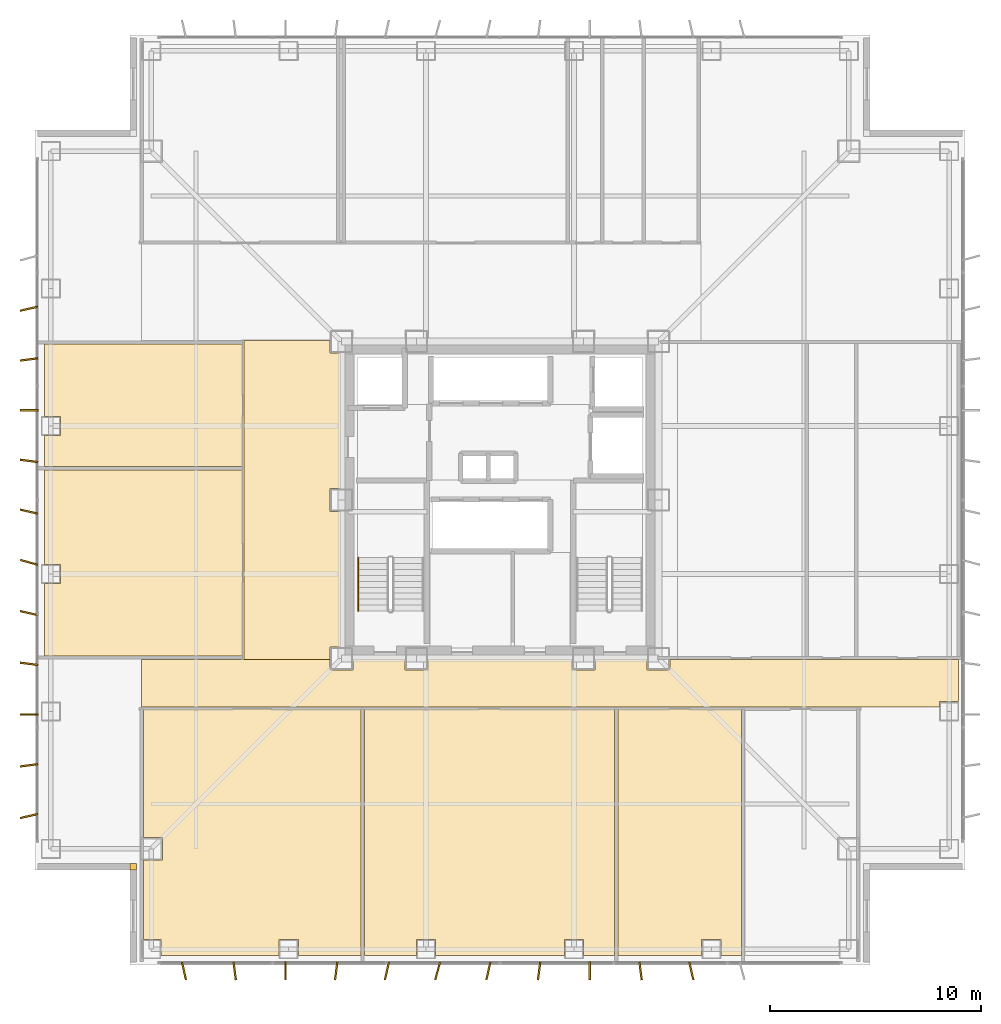
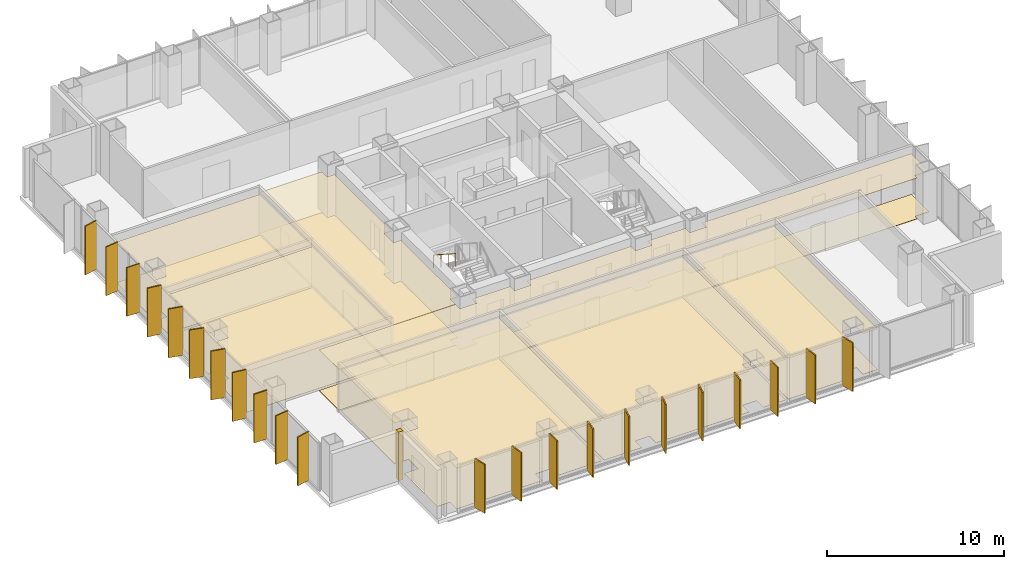
# One storey, part 15 of 17: 22 shading devices, 15 coverings, 1 railing.
"""IFC4 building model written with IfcOpenShell, lengths in metres."""

from ifc_helpers import new_model, si_unit, direction, frame, origin, origin_2d, place, context, subcontext, project, spatial, polyline, rectangle, circle, outline, extrude, material, layer, layer_set, type_object, element, save


model = new_model("IFC4")

# Units and contexts
model_context = context("Model", 3, precision=1e-05, world=origin(), true_north=direction((0.0, 1.0)))
body_context = subcontext(model_context, "Body", "Model", "MODEL_VIEW")
ifc_project = project(units=[si_unit("LENGTHUNIT", "METRE"), si_unit("AREAUNIT", "SQUARE_METRE"), si_unit("VOLUMEUNIT", "CUBIC_METRE"), si_unit("PLANEANGLEUNIT", "RADIAN"), si_unit("MASSUNIT", "GRAM", prefix="KILO")], contexts=[model_context])

# Site, building, storey
site_placement = place(None, origin())
site = spatial("IfcSite", under=ifc_project, at=site_placement, CompositionType="ELEMENT")
building_placement = place(site_placement, origin())
building = spatial("IfcBuilding", under=site, at=building_placement, Name="Trevonay Congress Spire", CompositionType="ELEMENT")
storey_placement = place(building_placement, frame((0.0, 0.0, 126.39990234375)))
storey = spatial("IfcBuildingStorey", under=building, at=storey_placement, Name="L32", CompositionType="ELEMENT", Elevation=126.39990234375)

# Coverings
ifc_material_1 = material(Name="Acoustic Mineral Fibre Board", Category="gypsum")
ifc_layer_1 = layer(ifc_material_1, 0.02490234375, Name="Acoustic Mineral Fibre Board")
ifc_layer_set_1 = layer_set([ifc_layer_1], Name="Acoustic Mineral Fibre Board")
covering_type_1 = type_object("IfcCoveringType", Name="COV-CEIL-ACOUSTIC", PredefinedType="CEILING", material=ifc_layer_set_1)
covering_1_placement = place(storey_placement, frame((0.0, 0.0, 2.81005859375)))
element("IfcCovering", 1, at=covering_1_placement, inside=storey, type_object=covering_type_1, Name="L32 Congress South Spine Corridor acoustic suspended ceiling", PredefinedType="CEILING", context=body_context, shape_type="SweptSolid", body=[
    extrude(outline(polyline([(-16.949951171875, -9.800048828125), (-16.949951171875, -7.550048828125), (-8.034912109375, -7.550048828125), (-8.034912109375, -8.034912109375), (-6.965087890625, -8.034912109375), (-6.965087890625, -7.550048828125), (-4.485107421875, -7.550048828125), (-4.485107421875, -8.034912109375), (-3.4150390625, -8.034912109375), (-3.4150390625, -7.550048828125), (3.4150390625, -7.550048828125), (3.4150390625, -8.034912109375), (4.485107421875, -8.034912109375), (4.485107421875, -7.550048828125), (6.965087890625, -7.550048828125), (6.965087890625, -8.034912109375), (8.034912109375, -8.034912109375), (8.034912109375, -7.550048828125), (21.699951171875, -7.550048828125), (21.699951171875, -9.5400390625), (20.7900390625, -9.5400390625), (20.7900390625, -9.800048828125), (-16.949951171875, -9.800048828125)])), origin(), (0.0, 0.0, 1.0), 0.025146484375),
])
covering_2_placement = place(storey_placement, frame((0.0, 0.0, 2.81005859375)))
element("IfcCovering", 2, at=covering_2_placement, inside=storey, type_object=covering_type_1, Name="L32 West Sky Promenade Salon acoustic suspended ceiling", PredefinedType="CEILING", context=body_context, shape_type="SweptSolid", body=[
    extrude(outline(polyline([(-12.10009765625, 7.550048828125), (-8.034912109375, 7.550048828125), (-8.034912109375, 6.965087890625), (-7.550048828125, 6.965087890625), (-7.550048828125, 0.534912109375), (-8.034912109375, 0.534912109375), (-8.034912109375, -0.534912109375), (-7.550048828125, -0.534912109375), (-7.550048828125, -6.965087890625), (-8.034912109375, -6.965087890625), (-8.034912109375, -7.5400390625), (-12.10009765625, -7.5400390625), (-12.10009765625, 7.550048828125)])), origin(), (0.0, 0.0, 1.0), 0.025146484375),
])
covering_3_placement = place(storey_placement, frame((0.0, 0.0, 2.81005859375)))
element("IfcCovering", 3, at=covering_3_placement, inside=storey, type_object=covering_type_1, Name="L32 Delegates Dining Restaurant West acoustic suspended ceiling", PredefinedType="CEILING", context=body_context, shape_type="SweptSolid", body=[
    extrude(outline(polyline([(-16.0400390625, -21.550048828125), (-16.0400390625, -20.7900390625), (-16.8701171875, -20.7900390625), (-16.8701171875, -17.034912109375), (-15.965087890625, -17.034912109375), (-15.965087890625, -15.965087890625), (-16.8701171875, -15.965087890625), (-16.8701171875, -9.8798828125), (-6.580078125, -9.8798828125), (-6.580078125, -21.550048828125), (-9.5400390625, -21.550048828125), (-9.5400390625, -20.7900390625), (-10.4599609375, -20.7900390625), (-10.4599609375, -21.550048828125), (-16.0400390625, -21.550048828125)])), origin(), (0.0, 0.0, 1.0), 0.025146484375),
])
covering_4_placement = place(storey_placement, frame((0.0, 0.0, 2.81005859375)))
element("IfcCovering", 4, at=covering_4_placement, inside=storey, type_object=covering_type_1, Name="L32 Culinary Archive Office acoustic suspended ceiling", PredefinedType="CEILING", context=body_context, shape_type="SweptSolid", body=[
    extrude(outline(polyline([(-6.419921875, -21.550048828125), (-6.419921875, -9.8798828125), (5.419921875, -9.8798828125), (5.419921875, -21.550048828125), (3.9599609375, -21.550048828125), (3.9599609375, -20.7900390625), (3.0400390625, -20.7900390625), (3.0400390625, -21.550048828125), (-3.0400390625, -21.550048828125), (-3.0400390625, -20.7900390625), (-3.9599609375, -20.7900390625), (-3.9599609375, -21.550048828125), (-6.419921875, -21.550048828125)])), origin(), (0.0, 0.0, 1.0), 0.025146484375),
])
covering_5_placement = place(storey_placement, frame((0.0, 0.0, 2.81005859375)))
element("IfcCovering", 5, at=covering_5_placement, inside=storey, type_object=covering_type_1, Name="L32 Main Finishing Kitchen acoustic suspended ceiling", PredefinedType="CEILING", context=body_context, shape_type="SweptSolid", body=[
    extrude(outline(polyline([(5.580078125, -21.550048828125), (5.580078125, -9.8798828125), (11.419921875, -9.8798828125), (11.419921875, -21.550048828125), (10.4599609375, -21.550048828125), (10.4599609375, -20.7900390625), (9.5400390625, -20.7900390625), (9.5400390625, -21.550048828125), (5.580078125, -21.550048828125)])), origin(), (0.0, 0.0, 1.0), 0.025146484375),
])
covering_6_placement = place(storey_placement, frame((0.0, 0.0, 2.81005859375)))
element("IfcCovering", 6, at=covering_6_placement, inside=storey, type_object=covering_type_1, Name="L32 Delegates Club Lounge acoustic suspended ceiling", PredefinedType="CEILING", context=body_context, shape_type="SweptSolid", body=[
    extrude(outline(polyline([(-21.550048828125, 1.419921875), (-12.179931640625, 1.419921875), (-12.179931640625, -7.3701171875), (-21.550048828125, -7.3701171875), (-21.550048828125, -3.9599609375), (-20.7900390625, -3.9599609375), (-20.7900390625, -3.0400390625), (-21.550048828125, -3.0400390625), (-21.550048828125, 1.419921875)])), origin(), (0.0, 0.0, 1.0), 0.025146484375),
])
covering_7_placement = place(storey_placement, frame((0.0, 0.0, 2.81005859375)))
element("IfcCovering", 7, at=covering_7_placement, inside=storey, type_object=covering_type_1, Name="L32 Sommelier Bar acoustic suspended ceiling", PredefinedType="CEILING", context=body_context, shape_type="SweptSolid", body=[
    extrude(outline(polyline([(-21.550048828125, 7.3701171875), (-12.179931640625, 7.3701171875), (-12.179931640625, 1.580078125), (-21.550048828125, 1.580078125), (-21.550048828125, 3.0400390625), (-20.7900390625, 3.0400390625), (-20.7900390625, 3.9599609375), (-21.550048828125, 3.9599609375), (-21.550048828125, 7.3701171875)])), origin(), (0.0, 0.0, 1.0), 0.025146484375),
])
ifc_material_2 = material(Name="Polished Granite Floor Tile", Category="masonry")
ifc_layer_2 = layer(ifc_material_2, 0.02001953125, Name="Polished Granite Floor Tile")
ifc_layer_set_2 = layer_set([ifc_layer_2], Name="Polished Granite Floor Tile")
covering_type_2 = type_object("IfcCoveringType", Name="COV-FLOOR-STONE", PredefinedType="FLOORING", material=ifc_layer_set_2)
covering_8_placement = place(storey_placement, origin())
element("IfcCovering", 8, at=covering_8_placement, inside=storey, type_object=covering_type_2, Name="L32 Congress South Spine Corridor floor finish", PredefinedType="FLOORING", context=body_context, shape_type="SweptSolid", body=[
    extrude(outline(polyline([(-16.949951171875, -9.800048828125), (-16.949951171875, -7.550048828125), (-8.034912109375, -7.550048828125), (-8.034912109375, -8.034912109375), (-6.965087890625, -8.034912109375), (-6.965087890625, -7.550048828125), (-4.485107421875, -7.550048828125), (-4.485107421875, -8.034912109375), (-3.4150390625, -8.034912109375), (-3.4150390625, -7.550048828125), (3.4150390625, -7.550048828125), (3.4150390625, -8.034912109375), (4.485107421875, -8.034912109375), (4.485107421875, -7.550048828125), (6.965087890625, -7.550048828125), (6.965087890625, -8.034912109375), (8.034912109375, -8.034912109375), (8.034912109375, -7.550048828125), (21.699951171875, -7.550048828125), (21.699951171875, -9.5400390625), (20.7900390625, -9.5400390625), (20.7900390625, -9.800048828125), (-16.949951171875, -9.800048828125)])), origin(), (0.0, 0.0, 1.0), 0.02001953125),
])
covering_9_placement = place(storey_placement, origin())
element("IfcCovering", 9, at=covering_9_placement, inside=storey, type_object=covering_type_2, Name="L32 Delegates Dining Restaurant West floor finish", PredefinedType="FLOORING", context=body_context, shape_type="SweptSolid", body=[
    extrude(outline(polyline([(-16.0400390625, -21.550048828125), (-16.0400390625, -20.7900390625), (-16.8701171875, -20.7900390625), (-16.8701171875, -17.034912109375), (-15.965087890625, -17.034912109375), (-15.965087890625, -15.965087890625), (-16.8701171875, -15.965087890625), (-16.8701171875, -9.8798828125), (-6.580078125, -9.8798828125), (-6.580078125, -21.550048828125), (-9.5400390625, -21.550048828125), (-9.5400390625, -20.7900390625), (-10.4599609375, -20.7900390625), (-10.4599609375, -21.550048828125), (-16.0400390625, -21.550048828125)])), origin(), (0.0, 0.0, 1.0), 0.02001953125),
])
covering_10_placement = place(storey_placement, origin())
element("IfcCovering", 10, at=covering_10_placement, inside=storey, type_object=covering_type_2, Name="L32 Main Finishing Kitchen floor finish", PredefinedType="FLOORING", context=body_context, shape_type="SweptSolid", body=[
    extrude(outline(polyline([(5.580078125, -21.550048828125), (5.580078125, -9.8798828125), (11.419921875, -9.8798828125), (11.419921875, -21.550048828125), (10.4599609375, -21.550048828125), (10.4599609375, -20.7900390625), (9.5400390625, -20.7900390625), (9.5400390625, -21.550048828125), (5.580078125, -21.550048828125)])), origin(), (0.0, 0.0, 1.0), 0.02001953125),
])
covering_11_placement = place(storey_placement, origin())
element("IfcCovering", 11, at=covering_11_placement, inside=storey, type_object=covering_type_2, Name="L32 Sommelier Bar floor finish", PredefinedType="FLOORING", context=body_context, shape_type="SweptSolid", body=[
    extrude(outline(polyline([(-21.550048828125, 7.3701171875), (-12.179931640625, 7.3701171875), (-12.179931640625, 1.580078125), (-21.550048828125, 1.580078125), (-21.550048828125, 3.0400390625), (-20.7900390625, 3.0400390625), (-20.7900390625, 3.9599609375), (-21.550048828125, 3.9599609375), (-21.550048828125, 7.3701171875)])), origin(), (0.0, 0.0, 1.0), 0.02001953125),
])
ifc_material_3 = material(Name="Engineered Oak Flooring", Category="wood")
ifc_layer_3 = layer(ifc_material_3, 0.01806640625, Name="Engineered Oak Flooring")
ifc_layer_set_3 = layer_set([ifc_layer_3], Name="Engineered Oak Flooring")
covering_type_3 = type_object("IfcCoveringType", Name="COV-FLOOR-TIMBER", PredefinedType="FLOORING", material=ifc_layer_set_3)
covering_12_placement = place(storey_placement, origin())
element("IfcCovering", 12, at=covering_12_placement, inside=storey, type_object=covering_type_3, Name="L32 West Sky Promenade Salon floor finish", PredefinedType="FLOORING", context=body_context, shape_type="SweptSolid", body=[
    extrude(outline(polyline([(-12.10009765625, 7.550048828125), (-8.034912109375, 7.550048828125), (-8.034912109375, 6.965087890625), (-7.550048828125, 6.965087890625), (-7.550048828125, 0.534912109375), (-8.034912109375, 0.534912109375), (-8.034912109375, -0.534912109375), (-7.550048828125, -0.534912109375), (-7.550048828125, -6.965087890625), (-8.034912109375, -6.965087890625), (-8.034912109375, -7.5400390625), (-12.10009765625, -7.5400390625), (-12.10009765625, 7.550048828125)])), origin(), (0.0, 0.0, 1.0), 0.01806640625),
])
covering_13_placement = place(storey_placement, origin())
element("IfcCovering", 13, at=covering_13_placement, inside=storey, type_object=covering_type_3, Name="L32 Culinary Archive Office floor finish", PredefinedType="FLOORING", context=body_context, shape_type="SweptSolid", body=[
    extrude(outline(polyline([(-6.419921875, -21.550048828125), (-6.419921875, -9.8798828125), (5.419921875, -9.8798828125), (5.419921875, -21.550048828125), (3.9599609375, -21.550048828125), (3.9599609375, -20.7900390625), (3.0400390625, -20.7900390625), (3.0400390625, -21.550048828125), (-3.0400390625, -21.550048828125), (-3.0400390625, -20.7900390625), (-3.9599609375, -20.7900390625), (-3.9599609375, -21.550048828125), (-6.419921875, -21.550048828125)])), origin(), (0.0, 0.0, 1.0), 0.01806640625),
])
covering_14_placement = place(storey_placement, origin())
element("IfcCovering", 14, at=covering_14_placement, inside=storey, type_object=covering_type_3, Name="L32 Delegates Club Lounge floor finish", PredefinedType="FLOORING", context=body_context, shape_type="SweptSolid", body=[
    extrude(outline(polyline([(-21.550048828125, 1.419921875), (-12.179931640625, 1.419921875), (-12.179931640625, -7.3701171875), (-21.550048828125, -7.3701171875), (-21.550048828125, -3.9599609375), (-20.7900390625, -3.9599609375), (-20.7900390625, -3.0400390625), (-21.550048828125, -3.0400390625), (-21.550048828125, 1.419921875)])), origin(), (0.0, 0.0, 1.0), 0.01806640625),
])
ifc_material_4 = material(Name="Pale Anodised Aluminium EN AW-6063-T6", Category="aluminium")
ifc_layer_4 = layer(ifc_material_4, 0.0400390625, Name="Pale Anodised Aluminium EN AW-6063-T6")
ifc_layer_set_4 = layer_set([ifc_layer_4], Name="Pale Anodised Aluminium EN AW-6063-T6")
covering_type_4 = type_object("IfcCoveringType", Name="COV-SPANDREL-PALE-METAL", PredefinedType="CLADDING", material=ifc_layer_set_4)
covering_15_placement = place(storey_placement, origin())
element("IfcCovering", 15, at=covering_15_placement, inside=storey, type_object=covering_type_4, Name="L32 SW re-entrant notch corner closure trim", PredefinedType="CLADDING", context=body_context, shape_type="SweptSolid", body=[
    extrude(outline(polyline([(-17.5, -17.5), (-17.199951171875, -17.5), (-17.199951171875, -17.199951171875), (-17.5, -17.199951171875), (-17.5, -17.5)])), origin(), (0.0, 0.0, 1.0), 3.360107421875),
])

# Railing
railing_type = type_object("IfcRailingType", Name="RAL-STAIR-HANDRAIL", PredefinedType="HANDRAIL", material=ifc_material_4)
railing_placement = place(storey_placement, frame((-6.699951171875, -2.72998046875, 1.97998046875)))
element("IfcRailing", 16, at=railing_placement, inside=storey, type_object=railing_type, Name="L32 ST-1 stair handrail 2", PredefinedType="HANDRAIL", context=body_context, shape_type="SweptSolid", body=[
    extrude(circle(Radius=0.02392578125, at=origin_2d()), frame((0.0, 0.0, 0.8759765625), z_axis=(0.0, -0.841162588446, 0.540782303519), x_axis=(1.0, 0.0, 0.0)), (0.0, 0.0, 1.0), 2.995849609375),
    extrude(circle(Radius=0.02099609375, at=origin_2d()), origin(), (0.0, 0.0, 1.0), 0.851806640625),
    extrude(circle(Radius=0.02099609375, at=origin_2d()), frame((0.0, -0.840087890625, 0.5400390625)), (0.0, 0.0, 1.0), 0.851806640625),
    extrude(circle(Radius=0.02099609375, at=origin_2d()), frame((0.0, -1.679931640625, 1.080078125)), (0.0, 0.0, 1.0), 0.851806640625),
    extrude(circle(Radius=0.02099609375, at=origin_2d()), frame((0.0, -2.52001953125, 1.6201171875)), (0.0, 0.0, 1.0), 0.851806640625),
])

# Shading devices
shading_device_type = type_object("IfcShadingDeviceType", Name="SHD-FIN-Z2-PALE-METAL", PredefinedType="USERDEFINED", material=ifc_material_4)
for number, where, z_axis, x_axis, name in (
    (17, (-14.949951171875, -22.280029296875, 0.0), (0.0, 0.0, 1.0), (0.97440931131, 0.224780991261, 0.0), "L32 S vertical pale-metal solar fin 1"),
    (18, (-12.550048828125, -22.280029296875, 0.0), (0.0, 0.0, 1.0), (0.991444861374, 0.13052619222, 0.0), "L32 S vertical pale-metal solar fin 2"),
    (19, (-10.14990234375, -22.280029296875, 0.0), (0.0, 0.0, 1.0), (1.0, 0.0, 0.0), "L32 S vertical pale-metal solar fin 3"),
    (20, (-7.75, -22.280029296875, 0.0), (0.0, 0.0, 1.0), (0.991444861374, -0.13052619222, 0.0), "L32 S vertical pale-metal solar fin 4"),
    (21, (-5.35009765625, -22.280029296875, 0.0), (0.0, 0.0, 1.0), (0.97440931131, -0.224780991261, 0.0), "L32 S vertical pale-metal solar fin 5"),
    (22, (-2.949951171875, -22.280029296875, 0.0), (0.0, 0.0, 1.0), (0.965925826289, -0.258819045103, 0.0), "L32 S vertical pale-metal solar fin 6"),
    (23, (-0.550048828125, -22.280029296875, 0.0), (0.0, 0.0, 1.0), (0.97440931131, -0.224780991261, 0.0), "L32 S vertical pale-metal solar fin 7"),
    (24, (1.85009765625, -22.280029296875, 0.0), (0.0, 0.0, 1.0), (0.991444861374, -0.13052619222, 0.0), "L32 S vertical pale-metal solar fin 8"),
    (25, (4.25, -22.280029296875, 0.0), (0.0, 0.0, 1.0), (1.0, 0.0, 0.0), "L32 S vertical pale-metal solar fin 9"),
    (26, (6.64990234375, -22.280029296875, 0.0), (0.0, 0.0, 1.0), (0.991444861374, 0.13052619222, 0.0), "L32 S vertical pale-metal solar fin 10"),
    (27, (9.050048828125, -22.280029296875, 0.0), (0.0, 0.0, 1.0), (0.97440931131, 0.224780991261, 0.0), "L32 S vertical pale-metal solar fin 11"),
    (28, (-22.280029296875, -14.949951171875, 0.0), (0.0, 0.0, 1.0), (-0.224780991261, 0.97440931131, 0.0), "L32 W vertical pale-metal solar fin 1"),
    (29, (-22.280029296875, -12.550048828125, 0.0), (0.0, 0.0, 1.0), (-0.13052619222, 0.991444861374, 0.0), "L32 W vertical pale-metal solar fin 2"),
    (30, (-22.280029296875, -10.14990234375, 0.0), (0.0, 0.0, 1.0), (0.0, 1.0, 0.0), "L32 W vertical pale-metal solar fin 3"),
    (31, (-22.280029296875, -7.75, 0.0), (0.0, 0.0, 1.0), (0.13052619222, 0.991444861374, 0.0), "L32 W vertical pale-metal solar fin 4"),
    (32, (-22.280029296875, -5.35009765625, 0.0), (0.0, 0.0, 1.0), (0.224780991261, 0.97440931131, 0.0), "L32 W vertical pale-metal solar fin 5"),
    (33, (-22.280029296875, -2.949951171875, 0.0), (0.0, 0.0, 1.0), (0.258819045103, 0.965925826289, 0.0), "L32 W vertical pale-metal solar fin 6"),
    (34, (-22.280029296875, -0.550048828125, 0.0), (0.0, 0.0, 1.0), (0.224780991261, 0.97440931131, 0.0), "L32 W vertical pale-metal solar fin 7"),
    (35, (-22.280029296875, 1.85009765625, 0.0), (0.0, 0.0, 1.0), (0.13052619222, 0.991444861374, 0.0), "L32 W vertical pale-metal solar fin 8"),
    (36, (-22.280029296875, 4.25, 0.0), (0.0, 0.0, 1.0), (0.0, 1.0, 0.0), "L32 W vertical pale-metal solar fin 9"),
    (37, (-22.280029296875, 6.64990234375, 0.0), (0.0, 0.0, 1.0), (-0.13052619222, 0.991444861374, 0.0), "L32 W vertical pale-metal solar fin 10"),
    (38, (-22.280029296875, 9.050048828125, 0.0), (0.0, 0.0, 1.0), (-0.224780991261, 0.97440931131, 0.0), "L32 W vertical pale-metal solar fin 11"),
):
    element("IfcShadingDevice", number, at=place(storey_placement, frame(where, z_axis=z_axis, x_axis=x_axis)), inside=storey, type_object=shading_device_type, Name=name, ObjectType="SOLAR FIN", PredefinedType="USERDEFINED", context=body_context, shape_type="SweptSolid", body=[
        extrude(rectangle(XDim=0.080078125, YDim=0.85009765625, at=origin_2d()), origin(), (0.0, 0.0, 1.0), 3.360107421875),
    ])

save(model, "model.ifc")
